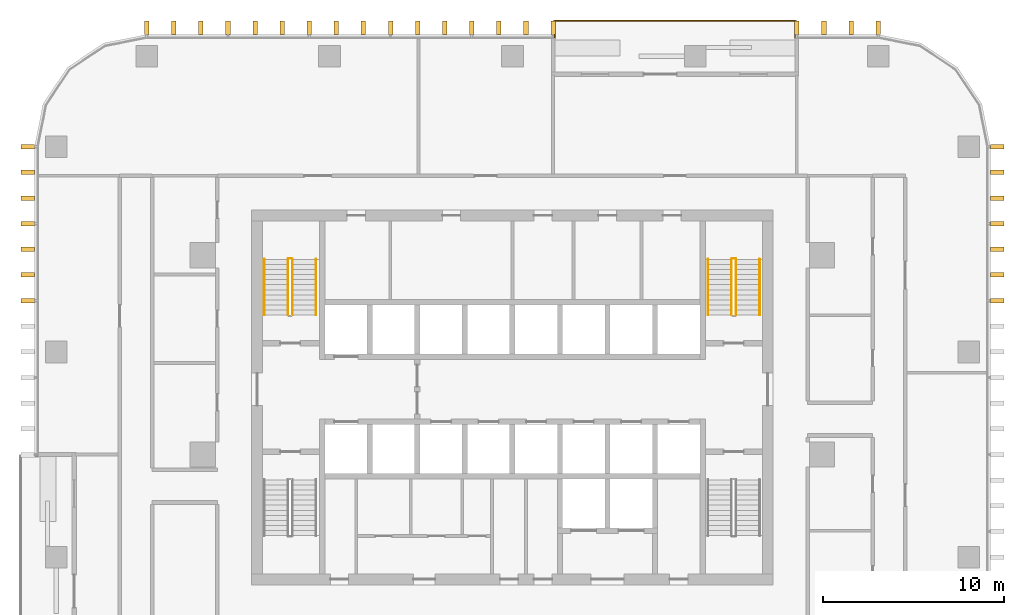
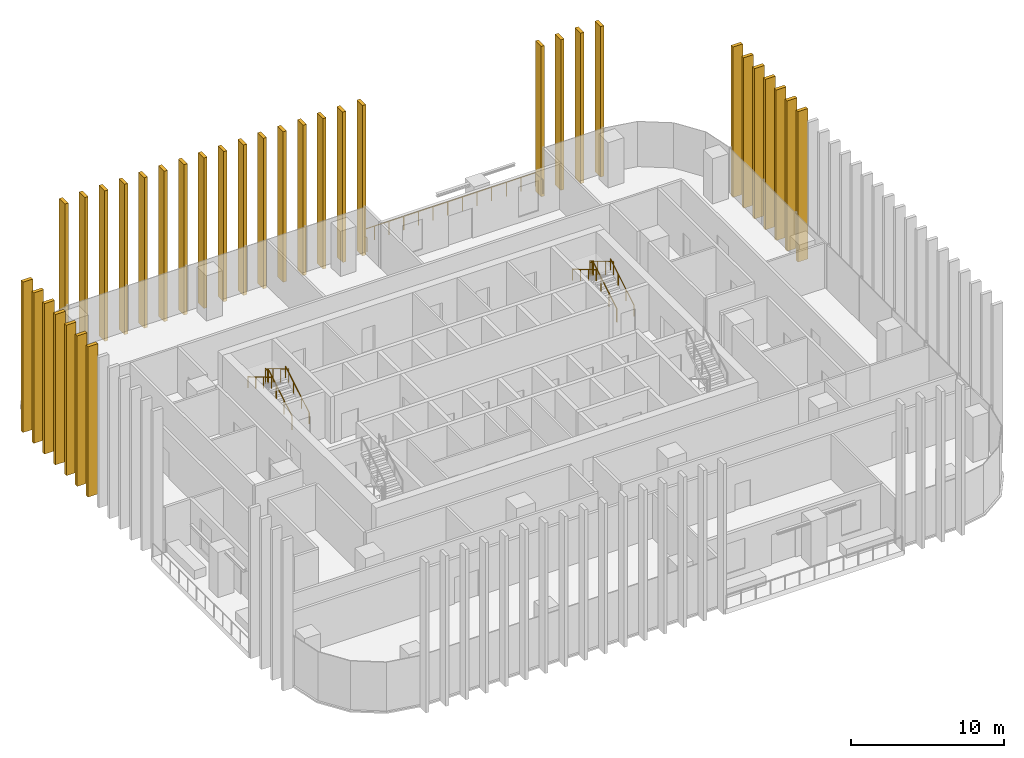
# One storey, part 16 of 16: 34 shading devices, 9 railings.
"""IFC4 building model written with IfcOpenShell, lengths in metres."""

from ifc_helpers import new_model, si_unit, direction, frame, origin, origin_2d, place, context, subcontext, project, spatial, rectangle, circle, extrude, material, type_object, element, save


model = new_model("IFC4")

# Units and contexts
model_context = context("Model", 3, precision=1e-05, world=origin(), true_north=direction((0.0, 1.0)))
body_context = subcontext(model_context, "Body", "Model", "MODEL_VIEW")
ifc_project = project(units=[si_unit("LENGTHUNIT", "METRE"), si_unit("AREAUNIT", "SQUARE_METRE"), si_unit("VOLUMEUNIT", "CUBIC_METRE"), si_unit("PLANEANGLEUNIT", "RADIAN"), si_unit("MASSUNIT", "GRAM", prefix="KILO")], contexts=[model_context])

# Site, building, storey
site_placement = place(None, origin())
site = spatial("IfcSite", under=ifc_project, at=site_placement, CompositionType="ELEMENT")
building_placement = place(site_placement, origin())
building = spatial("IfcBuilding", under=site, at=building_placement, Name="Mopane Tessera Tower", CompositionType="ELEMENT")
storey_placement = place(building_placement, frame((0.0, 0.0, 181.0)))
storey = spatial("IfcBuildingStorey", under=building, at=storey_placement, Name="L37", CompositionType="ELEMENT", Elevation=181.0)

# Shading devices
ifc_material_1 = material(Name="Glazed ceramic tile")
shading_device_type = type_object("IfcShadingDeviceType", Name="Ceramic tile fin 750 x 250 mm", PredefinedType="USERDEFINED", material=ifc_material_1)
for number, where, z_axis, x_axis, name in (
    (1, (26.77490234375, 8.5, -0.39990234375), (0.0, 0.0, 1.0), (0.0, 1.0, 0.0), "e:fin:L37:E:6:0"),
    (2, (26.77490234375, 9.916748046875, -0.39990234375), (0.0, 0.0, 1.0), (0.0, 1.0, 0.0), "e:fin:L37:E:6:1"),
    (3, (26.77490234375, 11.333251953125, -0.39990234375), (0.0, 0.0, 1.0), (0.0, 1.0, 0.0), "e:fin:L37:E:6:2"),
    (4, (26.77490234375, 12.75, -0.39990234375), (0.0, 0.0, 1.0), (0.0, 1.0, 0.0), "e:fin:L37:E:7:0"),
    (5, (26.77490234375, 14.166748046875, -0.39990234375), (0.0, 0.0, 1.0), (0.0, 1.0, 0.0), "e:fin:L37:E:7:1"),
    (6, (26.77490234375, 15.583251953125, -0.39990234375), (0.0, 0.0, 1.0), (0.0, 1.0, 0.0), "e:fin:L37:E:7:2"),
    (7, (26.77490234375, 17.0, -0.39990234375), (0.0, 0.0, 1.0), (0.0, 1.0, 0.0), "e:fin:L37:E:7:3"),
    (8, (20.199951171875, 23.574951171875, -0.39990234375), (0.0, 0.0, 1.0), (-1.0, 0.0, 0.0), "e:fin:L37:N:0:0"),
    (9, (18.70361328125, 23.574951171875, -0.39990234375), (0.0, 0.0, 1.0), (-1.0, 0.0, 0.0), "e:fin:L37:N:0:1"),
    (10, (17.20751953125, 23.574951171875, -0.39990234375), (0.0, 0.0, 1.0), (-1.0, 0.0, 0.0), "e:fin:L37:N:0:2"),
    (11, (15.711181640625, 23.574951171875, -0.39990234375), (0.0, 0.0, 1.0), (-1.0, 0.0, 0.0), "e:fin:L37:N:0:3"),
    (12, (2.244384765625, 23.574951171875, -0.39990234375), (0.0, 0.0, 1.0), (-1.0, 0.0, 0.0), "e:fin:L37:N:4:0"),
    (13, (0.748046875, 23.574951171875, -0.39990234375), (0.0, 0.0, 1.0), (-1.0, 0.0, 0.0), "e:fin:L37:N:4:1"),
    (14, (-0.748046875, 23.574951171875, -0.39990234375), (0.0, 0.0, 1.0), (-1.0, 0.0, 0.0), "e:fin:L37:N:4:2"),
    (15, (-2.244384765625, 23.574951171875, -0.39990234375), (0.0, 0.0, 1.0), (-1.0, 0.0, 0.0), "e:fin:L37:N:5:0"),
    (16, (-3.74072265625, 23.574951171875, -0.39990234375), (0.0, 0.0, 1.0), (-1.0, 0.0, 0.0), "e:fin:L37:N:5:1"),
    (17, (-5.237060546875, 23.574951171875, -0.39990234375), (0.0, 0.0, 1.0), (-1.0, 0.0, 0.0), "e:fin:L37:N:5:2"),
    (18, (-6.7333984375, 23.574951171875, -0.39990234375), (0.0, 0.0, 1.0), (-1.0, 0.0, 0.0), "e:fin:L37:N:6:0"),
    (19, (-8.229736328125, 23.574951171875, -0.39990234375), (0.0, 0.0, 1.0), (-1.0, 0.0, 0.0), "e:fin:L37:N:6:1"),
    (20, (-9.725830078125, 23.574951171875, -0.39990234375), (0.0, 0.0, 1.0), (-1.0, 0.0, 0.0), "e:fin:L37:N:6:2"),
    (21, (-11.22216796875, 23.574951171875, -0.39990234375), (0.0, 0.0, 1.0), (-1.0, 0.0, 0.0), "e:fin:L37:N:7:0"),
    (22, (-12.718505859375, 23.574951171875, -0.39990234375), (0.0, 0.0, 1.0), (-1.0, 0.0, 0.0), "e:fin:L37:N:7:1"),
    (23, (-14.21484375, 23.574951171875, -0.39990234375), (0.0, 0.0, 1.0), (-1.0, 0.0, 0.0), "e:fin:L37:N:7:2"),
    (24, (-15.711181640625, 23.574951171875, -0.39990234375), (0.0, 0.0, 1.0), (-1.0, 0.0, 0.0), "e:fin:L37:N:8:0"),
    (25, (-17.20751953125, 23.574951171875, -0.39990234375), (0.0, 0.0, 1.0), (-1.0, 0.0, 0.0), "e:fin:L37:N:8:1"),
    (26, (-18.70361328125, 23.574951171875, -0.39990234375), (0.0, 0.0, 1.0), (-1.0, 0.0, 0.0), "e:fin:L37:N:8:2"),
    (27, (-20.199951171875, 23.574951171875, -0.39990234375), (0.0, 0.0, 1.0), (-1.0, 0.0, 0.0), "e:fin:L37:N:8:3"),
    (28, (-26.77490234375, 17.0, -0.39990234375), (0.0, 0.0, 1.0), (0.0, -1.0, 0.0), "e:fin:L37:W:0:0"),
    (29, (-26.77490234375, 15.583251953125, -0.39990234375), (0.0, 0.0, 1.0), (0.0, -1.0, 0.0), "e:fin:L37:W:0:1"),
    (30, (-26.77490234375, 14.166748046875, -0.39990234375), (0.0, 0.0, 1.0), (0.0, -1.0, 0.0), "e:fin:L37:W:0:2"),
    (31, (-26.77490234375, 12.75, -0.39990234375), (0.0, 0.0, 1.0), (0.0, -1.0, 0.0), "e:fin:L37:W:1:0"),
    (32, (-26.77490234375, 11.333251953125, -0.39990234375), (0.0, 0.0, 1.0), (0.0, -1.0, 0.0), "e:fin:L37:W:1:1"),
    (33, (-26.77490234375, 9.916748046875, -0.39990234375), (0.0, 0.0, 1.0), (0.0, -1.0, 0.0), "e:fin:L37:W:1:2"),
    (34, (-26.77490234375, 8.5, -0.39990234375), (0.0, 0.0, 1.0), (0.0, -1.0, 0.0), "e:fin:L37:W:2:0"),
):
    element("IfcShadingDevice", number, at=place(storey_placement, frame(where, z_axis=z_axis, x_axis=x_axis)), inside=storey, type_object=shading_device_type, Name=name, ObjectType="FIN", PredefinedType="USERDEFINED", context=body_context, shape_type="SweptSolid", body=[
        extrude(rectangle(XDim=0.25, YDim=0.75, at=origin_2d()), origin(), (0.0, 0.0, 1.0), 12.0),
    ])

# Railings
ifc_material_2 = material(Name="Powder-coated steel balustrade", Category="steel")
railing_type_1 = type_object("IfcRailingType", Name="Escape stair guard 1100 mm", PredefinedType="GUARDRAIL", material=ifc_material_2)
railing_1_placement = place(storey_placement, frame((-12.14990234375, 7.699951171875, 0.166748046875)))
element("IfcRailing", 35, at=railing_1_placement, inside=storey, type_object=railing_type_1, Name="L37 ST2 stair guard 1", PredefinedType="GUARDRAIL", context=body_context, shape_type="SweptSolid", body=[
    extrude(circle(Radius=0.02392578125, at=origin_2d()), frame((0.0, 0.0, 1.076171875), z_axis=(0.0, 0.859308565015, 0.511457515432), x_axis=(-1.0, 0.0, 0.0)), (0.0, 0.0, 1.0), 3.58447265625),
    extrude(circle(Radius=0.02392578125, at=origin_2d()), frame((0.0, 3.080078125, 2.9091796875), z_axis=(-0.707106781187, 0.707106781187, 0.0), x_axis=(-0.707106781187, -0.707106781187, 0.0)), (0.0, 0.0, 1.0), 0.07080078125),
    extrude(circle(Radius=0.02392578125, at=origin_2d()), frame((-0.050048828125, 3.130126953125, 2.9091796875), z_axis=(-1.0, 0.0, 0.0), x_axis=(0.0, -1.0, 0.0)), (0.0, 0.0, 1.0), 0.150146484375),
    extrude(circle(Radius=0.02099609375, at=origin_2d()), origin(), (0.0, 0.0, 1.0), 1.052001953125),
    extrude(circle(Radius=0.02099609375, at=origin_2d()), frame((0.0, 1.026611328125, 0.611083984375)), (0.0, 0.0, 1.0), 1.052001953125),
    extrude(circle(Radius=0.02099609375, at=origin_2d()), frame((0.0, 2.053466796875, 1.22216796875)), (0.0, 0.0, 1.0), 1.052001953125),
    extrude(circle(Radius=0.02099609375, at=origin_2d()), frame((0.0, 3.080078125, 1.833251953125)), (0.0, 0.0, 1.0), 1.052001953125),
    extrude(circle(Radius=0.02099609375, at=origin_2d()), frame((-0.050048828125, 3.130126953125, 1.833251953125)), (0.0, 0.0, 1.0), 1.052001953125),
    extrude(circle(Radius=0.02099609375, at=origin_2d()), frame((-0.2001953125, 3.130126953125, 1.833251953125)), (0.0, 0.0, 1.0), 1.052001953125),
])
railing_2_placement = place(storey_placement, frame((-12.39990234375, 10.780029296875, 2.166748046875)))
element("IfcRailing", 36, at=railing_2_placement, inside=storey, type_object=railing_type_1, Name="L37 ST2 stair guard 2", PredefinedType="GUARDRAIL", context=body_context, shape_type="SweptSolid", body=[
    extrude(circle(Radius=0.02392578125, at=origin_2d()), frame((0.0, 0.0, 1.076171875), z_axis=(0.0, -0.859308565015, 0.511457515432), x_axis=(1.0, 0.0, 0.0)), (0.0, 0.0, 1.0), 3.58447265625),
    extrude(circle(Radius=0.02099609375, at=origin_2d()), origin(), (0.0, 0.0, 1.0), 1.052001953125),
    extrude(circle(Radius=0.02099609375, at=origin_2d()), frame((0.0, -1.026611328125, 0.611083984375)), (0.0, 0.0, 1.0), 1.052001953125),
    extrude(circle(Radius=0.02099609375, at=origin_2d()), frame((0.0, -2.053466796875, 1.22216796875)), (0.0, 0.0, 1.0), 1.052001953125),
    extrude(circle(Radius=0.02099609375, at=origin_2d()), frame((0.0, -3.080078125, 1.833251953125)), (0.0, 0.0, 1.0), 1.052001953125),
])
railing_3_placement = place(storey_placement, frame((12.35009765625, 7.699951171875, 0.166748046875)))
element("IfcRailing", 37, at=railing_3_placement, inside=storey, type_object=railing_type_1, Name="L37 ST4 stair guard 1", PredefinedType="GUARDRAIL", context=body_context, shape_type="SweptSolid", body=[
    extrude(circle(Radius=0.02392578125, at=origin_2d()), frame((0.0, 0.0, 1.076171875), z_axis=(0.0, 0.859308565015, 0.511457515432), x_axis=(-1.0, 0.0, 0.0)), (0.0, 0.0, 1.0), 3.58447265625),
    extrude(circle(Radius=0.02392578125, at=origin_2d()), frame((0.0, 3.080078125, 2.9091796875), z_axis=(-0.707106781187, 0.707106781187, 0.0), x_axis=(-0.707106781187, -0.707106781187, 0.0)), (0.0, 0.0, 1.0), 0.07080078125),
    extrude(circle(Radius=0.02392578125, at=origin_2d()), frame((-0.050048828125, 3.130126953125, 2.9091796875), z_axis=(-1.0, 0.0, 0.0), x_axis=(0.0, -1.0, 0.0)), (0.0, 0.0, 1.0), 0.150146484375),
    extrude(circle(Radius=0.02099609375, at=origin_2d()), origin(), (0.0, 0.0, 1.0), 1.052001953125),
    extrude(circle(Radius=0.02099609375, at=origin_2d()), frame((0.0, 1.026611328125, 0.611083984375)), (0.0, 0.0, 1.0), 1.052001953125),
    extrude(circle(Radius=0.02099609375, at=origin_2d()), frame((0.0, 2.053466796875, 1.22216796875)), (0.0, 0.0, 1.0), 1.052001953125),
    extrude(circle(Radius=0.02099609375, at=origin_2d()), frame((0.0, 3.080078125, 1.833251953125)), (0.0, 0.0, 1.0), 1.052001953125),
    extrude(circle(Radius=0.02099609375, at=origin_2d()), frame((-0.050048828125, 3.130126953125, 1.833251953125)), (0.0, 0.0, 1.0), 1.052001953125),
    extrude(circle(Radius=0.02099609375, at=origin_2d()), frame((-0.2001953125, 3.130126953125, 1.833251953125)), (0.0, 0.0, 1.0), 1.052001953125),
])
railing_4_placement = place(storey_placement, frame((12.10009765625, 10.780029296875, 2.166748046875)))
element("IfcRailing", 38, at=railing_4_placement, inside=storey, type_object=railing_type_1, Name="L37 ST4 stair guard 2", PredefinedType="GUARDRAIL", context=body_context, shape_type="SweptSolid", body=[
    extrude(circle(Radius=0.02392578125, at=origin_2d()), frame((0.0, 0.0, 1.076171875), z_axis=(0.0, -0.859308565015, 0.511457515432), x_axis=(1.0, 0.0, 0.0)), (0.0, 0.0, 1.0), 3.58447265625),
    extrude(circle(Radius=0.02099609375, at=origin_2d()), origin(), (0.0, 0.0, 1.0), 1.052001953125),
    extrude(circle(Radius=0.02099609375, at=origin_2d()), frame((0.0, -1.026611328125, 0.611083984375)), (0.0, 0.0, 1.0), 1.052001953125),
    extrude(circle(Radius=0.02099609375, at=origin_2d()), frame((0.0, -2.053466796875, 1.22216796875)), (0.0, 0.0, 1.0), 1.052001953125),
    extrude(circle(Radius=0.02099609375, at=origin_2d()), frame((0.0, -3.080078125, 1.833251953125)), (0.0, 0.0, 1.0), 1.052001953125),
])
ifc_material_3 = material(Name="Powder-coated steel balustrade", Category="steel")
railing_type_2 = type_object("IfcRailingType", Name="Escape stair handrail 900 mm", PredefinedType="HANDRAIL", material=ifc_material_3)
railing_5_placement = place(storey_placement, frame((-10.85009765625, 7.699951171875, 0.166748046875)))
element("IfcRailing", 39, at=railing_5_placement, inside=storey, type_object=railing_type_2, Name="L37 ST2 stair handrail 1", PredefinedType="HANDRAIL", context=body_context, shape_type="SweptSolid", body=[
    extrude(circle(Radius=0.02392578125, at=origin_2d()), frame((0.0, 0.0, 0.8759765625), z_axis=(0.0, 0.859308565015, 0.511457515432), x_axis=(-1.0, 0.0, 0.0)), (0.0, 0.0, 1.0), 3.58447265625),
    extrude(circle(Radius=0.02099609375, at=origin_2d()), origin(), (0.0, 0.0, 1.0), 0.851806640625),
    extrude(circle(Radius=0.02099609375, at=origin_2d()), frame((0.0, 1.026611328125, 0.611083984375)), (0.0, 0.0, 1.0), 0.851806640625),
    extrude(circle(Radius=0.02099609375, at=origin_2d()), frame((0.0, 2.053466796875, 1.22216796875)), (0.0, 0.0, 1.0), 0.851806640625),
    extrude(circle(Radius=0.02099609375, at=origin_2d()), frame((0.0, 3.080078125, 1.833251953125)), (0.0, 0.0, 1.0), 0.851806640625),
])
railing_6_placement = place(storey_placement, frame((-13.699951171875, 10.780029296875, 2.166748046875)))
element("IfcRailing", 40, at=railing_6_placement, inside=storey, type_object=railing_type_2, Name="L37 ST2 stair handrail 2", PredefinedType="HANDRAIL", context=body_context, shape_type="SweptSolid", body=[
    extrude(circle(Radius=0.02392578125, at=origin_2d()), frame((0.0, 0.0, 0.8759765625), z_axis=(0.0, -0.859308565015, 0.511457515432), x_axis=(1.0, 0.0, 0.0)), (0.0, 0.0, 1.0), 3.58447265625),
    extrude(circle(Radius=0.02099609375, at=origin_2d()), origin(), (0.0, 0.0, 1.0), 0.851806640625),
    extrude(circle(Radius=0.02099609375, at=origin_2d()), frame((0.0, -1.026611328125, 0.611083984375)), (0.0, 0.0, 1.0), 0.851806640625),
    extrude(circle(Radius=0.02099609375, at=origin_2d()), frame((0.0, -2.053466796875, 1.22216796875)), (0.0, 0.0, 1.0), 0.851806640625),
    extrude(circle(Radius=0.02099609375, at=origin_2d()), frame((0.0, -3.080078125, 1.833251953125)), (0.0, 0.0, 1.0), 0.851806640625),
])
railing_7_placement = place(storey_placement, frame((13.64990234375, 7.699951171875, 0.166748046875)))
element("IfcRailing", 41, at=railing_7_placement, inside=storey, type_object=railing_type_2, Name="L37 ST4 stair handrail 1", PredefinedType="HANDRAIL", context=body_context, shape_type="SweptSolid", body=[
    extrude(circle(Radius=0.02392578125, at=origin_2d()), frame((0.0, 0.0, 0.8759765625), z_axis=(0.0, 0.859308565015, 0.511457515432), x_axis=(-1.0, 0.0, 0.0)), (0.0, 0.0, 1.0), 3.58447265625),
    extrude(circle(Radius=0.02099609375, at=origin_2d()), origin(), (0.0, 0.0, 1.0), 0.851806640625),
    extrude(circle(Radius=0.02099609375, at=origin_2d()), frame((0.0, 1.026611328125, 0.611083984375)), (0.0, 0.0, 1.0), 0.851806640625),
    extrude(circle(Radius=0.02099609375, at=origin_2d()), frame((0.0, 2.053466796875, 1.22216796875)), (0.0, 0.0, 1.0), 0.851806640625),
    extrude(circle(Radius=0.02099609375, at=origin_2d()), frame((0.0, 3.080078125, 1.833251953125)), (0.0, 0.0, 1.0), 0.851806640625),
])
railing_8_placement = place(storey_placement, frame((10.800048828125, 10.780029296875, 2.166748046875)))
element("IfcRailing", 42, at=railing_8_placement, inside=storey, type_object=railing_type_2, Name="L37 ST4 stair handrail 2", PredefinedType="HANDRAIL", context=body_context, shape_type="SweptSolid", body=[
    extrude(circle(Radius=0.02392578125, at=origin_2d()), frame((0.0, 0.0, 0.8759765625), z_axis=(0.0, -0.859308565015, 0.511457515432), x_axis=(1.0, 0.0, 0.0)), (0.0, 0.0, 1.0), 3.58447265625),
    extrude(circle(Radius=0.02099609375, at=origin_2d()), origin(), (0.0, 0.0, 1.0), 0.851806640625),
    extrude(circle(Radius=0.02099609375, at=origin_2d()), frame((0.0, -1.026611328125, 0.611083984375)), (0.0, 0.0, 1.0), 0.851806640625),
    extrude(circle(Radius=0.02099609375, at=origin_2d()), frame((0.0, -2.053466796875, 1.22216796875)), (0.0, 0.0, 1.0), 0.851806640625),
    extrude(circle(Radius=0.02099609375, at=origin_2d()), frame((0.0, -3.080078125, 1.833251953125)), (0.0, 0.0, 1.0), 0.851806640625),
])
ifc_material_4 = material(Name="Stainless steel S316", Category="steel")
railing_type_3 = type_object("IfcRailingType", Name="Terrace guard 1100", PredefinedType="GUARDRAIL", material=ifc_material_4)
railing_9_placement = place(storey_placement, frame((15.611083984375, 23.0, 0.0)))
element("IfcRailing", 43, at=railing_9_placement, inside=storey, type_object=railing_type_3, Name="e:nw:L37:N3:guard", PredefinedType="GUARDRAIL", context=body_context, shape_type="SweptSolid", body=[
    extrude(circle(Radius=0.02392578125, at=origin_2d()), frame((0.0, 0.0, 1.076171875), z_axis=(0.0, 1.0, 0.0), x_axis=(-1.0, 0.0, 0.0)), (0.0, 0.0, 1.0), 0.949951171875),
    extrude(circle(Radius=0.02392578125, at=origin_2d()), frame((0.0, 0.949951171875, 1.076171875), z_axis=(-1.0, 0.0, 0.0), x_axis=(0.0, -1.0, 0.0)), (0.0, 0.0, 1.0), 13.2666015625),
    extrude(circle(Radius=0.02392578125, at=origin_2d()), frame((-13.2666015625, 0.949951171875, 1.076171875), z_axis=(0.0, -1.0, 0.0), x_axis=(1.0, 0.0, 0.0)), (0.0, 0.0, 1.0), 0.949951171875),
    extrude(circle(Radius=0.02099609375, at=origin_2d()), origin(), (0.0, 0.0, 1.0), 1.052001953125),
    extrude(circle(Radius=0.02099609375, at=origin_2d()), frame((0.0, 0.949951171875, 0.0)), (0.0, 0.0, 1.0), 1.052001953125),
    extrude(circle(Radius=0.02099609375, at=origin_2d()), frame((-1.10546875, 0.949951171875, 0.0)), (0.0, 0.0, 1.0), 1.052001953125),
    extrude(circle(Radius=0.02099609375, at=origin_2d()), frame((-2.211181640625, 0.949951171875, 0.0)), (0.0, 0.0, 1.0), 1.052001953125),
    extrude(circle(Radius=0.02099609375, at=origin_2d()), frame((-3.316650390625, 0.949951171875, 0.0)), (0.0, 0.0, 1.0), 1.052001953125),
    extrude(circle(Radius=0.02099609375, at=origin_2d()), frame((-4.422119140625, 0.949951171875, 0.0)), (0.0, 0.0, 1.0), 1.052001953125),
    extrude(circle(Radius=0.02099609375, at=origin_2d()), frame((-5.52783203125, 0.949951171875, 0.0)), (0.0, 0.0, 1.0), 1.052001953125),
    extrude(circle(Radius=0.02099609375, at=origin_2d()), frame((-6.63330078125, 0.949951171875, 0.0)), (0.0, 0.0, 1.0), 1.052001953125),
    extrude(circle(Radius=0.02099609375, at=origin_2d()), frame((-7.73876953125, 0.949951171875, 0.0)), (0.0, 0.0, 1.0), 1.052001953125),
    extrude(circle(Radius=0.02099609375, at=origin_2d()), frame((-8.844482421875, 0.949951171875, 0.0)), (0.0, 0.0, 1.0), 1.052001953125),
    extrude(circle(Radius=0.02099609375, at=origin_2d()), frame((-9.949951171875, 0.949951171875, 0.0)), (0.0, 0.0, 1.0), 1.052001953125),
    extrude(circle(Radius=0.02099609375, at=origin_2d()), frame((-11.055419921875, 0.949951171875, 0.0)), (0.0, 0.0, 1.0), 1.052001953125),
    extrude(circle(Radius=0.02099609375, at=origin_2d()), frame((-12.1611328125, 0.949951171875, 0.0)), (0.0, 0.0, 1.0), 1.052001953125),
    extrude(circle(Radius=0.02099609375, at=origin_2d()), frame((-13.2666015625, 0.949951171875, 0.0)), (0.0, 0.0, 1.0), 1.052001953125),
    extrude(circle(Radius=0.02099609375, at=origin_2d()), frame((-13.2666015625, 0.0, 0.0)), (0.0, 0.0, 1.0), 1.052001953125),
])

save(model, "model.ifc")
